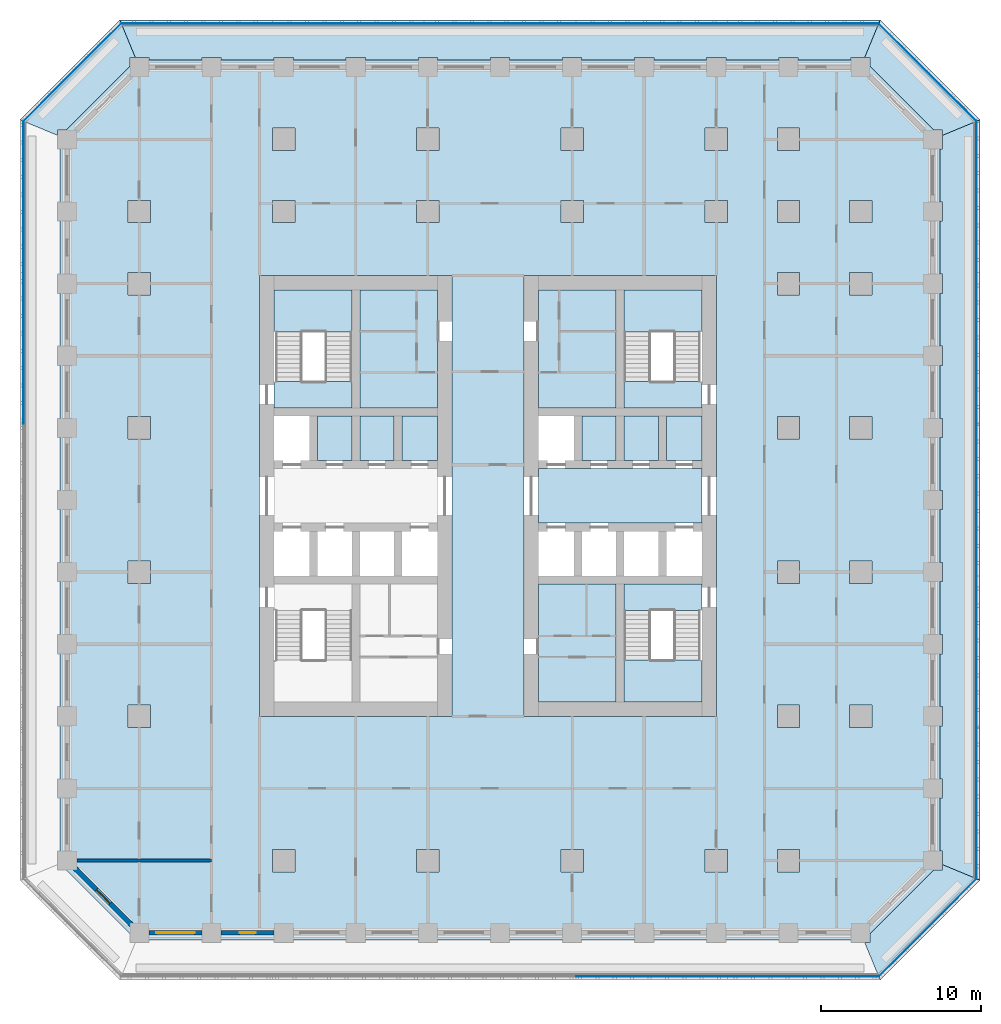
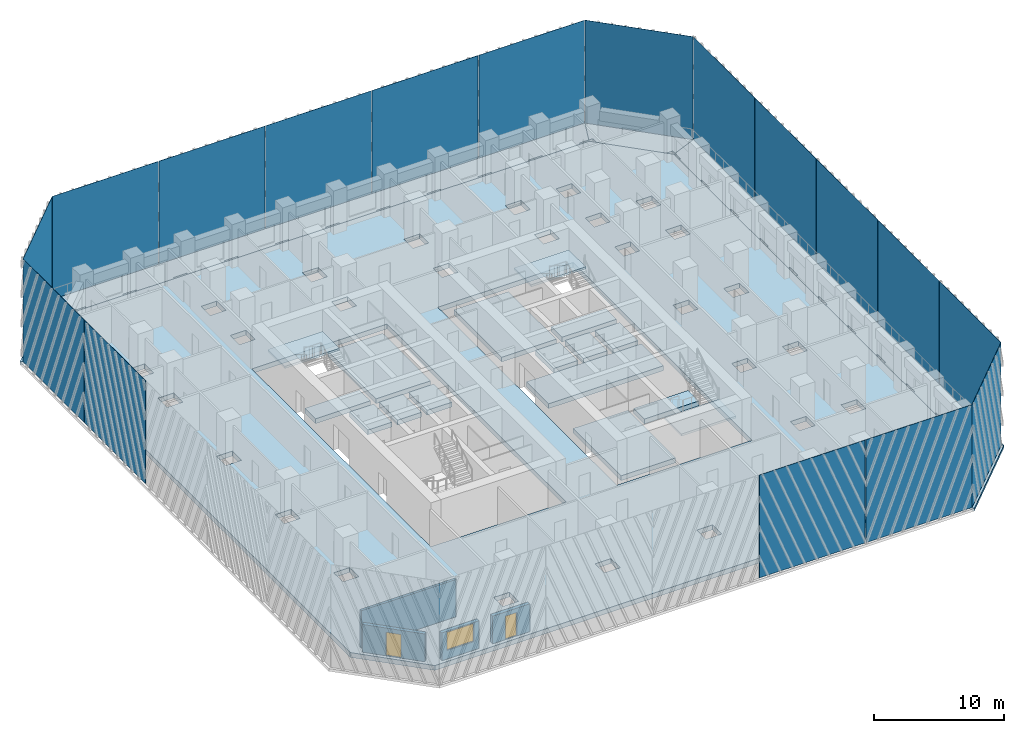
# One storey, part 2 of 20: 22 slabs, 17 plates, 4 walls, 2 doors, 1 window, 3 openings, 3 elements without a shape of their own.
"""IFC4 building model written with IfcOpenShell, lengths in metres."""

from ifc_helpers import new_model, si_unit, direction, frame, frame_2d, origin, origin_2d, place, context, subcontext, project, spatial, polyline, rectangle, outline, extrude, material, layer, layer_set, type_object, element, fill, aggregate, save


model = new_model("IFC4")

# Units and contexts
model_context = context("Model", 3, precision=1e-05, world=origin(), true_north=direction((0.0, 1.0)))
body_context = subcontext(model_context, "Body", "Model", "MODEL_VIEW")
ifc_project = project(units=[si_unit("LENGTHUNIT", "METRE"), si_unit("AREAUNIT", "SQUARE_METRE"), si_unit("VOLUMEUNIT", "CUBIC_METRE"), si_unit("PLANEANGLEUNIT", "RADIAN"), si_unit("MASSUNIT", "GRAM", prefix="KILO")], contexts=[model_context])

# Site, building, storey
site_placement = place(None, origin())
site = spatial("IfcSite", under=ifc_project, at=site_placement, CompositionType="ELEMENT")
building_placement = place(site_placement, origin())
building = spatial("IfcBuilding", under=site, at=building_placement, Name="Corbel Stack Research Tower", CompositionType="ELEMENT")
storey_placement = place(building_placement, frame((0.0, 0.0, 106.60009765625)))
storey = spatial("IfcBuildingStorey", under=building, at=storey_placement, Name="L24", CompositionType="ELEMENT", Elevation=106.60009765625)

# Plates
ifc_material_1 = material(Name="Fritted glass", Category="glass")
ifc_layer_1 = layer(ifc_material_1, 0.02490234375)
ifc_layer_set_1 = layer_set([ifc_layer_1], Name="Fritted glass")
plate_type = type_object("IfcPlateType", Name="Fritted glass panel 25", PredefinedType="SHEET", material=ifc_layer_set_1)
for number, where, z_axis, x_axis, name in (
    (1, (13.95556640625, -25.237548828125, 0.0), (0.0, 0.0, 1.0), (1.0, 0.0, 0.0), "Fritted glass L24 S4"),
    (2, (23.411376953125, -25.237548828125, 0.0), (0.0, 0.0, 1.0), (1.0, 0.0, 0.0), "Fritted glass L24 S5"),
):
    element("IfcPlate", number, at=place(storey_placement, frame(where, z_axis=z_axis, x_axis=x_axis)), inside=storey, type_object=plate_type, Name=name, PredefinedType="SHEET", context=body_context, shape_type="SweptSolid", body=[
        extrude(rectangle(XDim=9.3955078125, YDim=0.02490234375, at=origin_2d()), origin(), (0.0, 0.0, 1.0), 9.64990234375),
    ])
plate_1_placement = place(storey_placement, frame((31.185791015625, -22.185791015625, 0.0), z_axis=(0.0, 0.0, 1.0), x_axis=(0.707106781187, 0.707106781187, 0.0)))
element("IfcPlate", 3, at=plate_1_placement, inside=storey, type_object=plate_type, Name="Fritted glass L24 SE1", PredefinedType="SHEET", context=body_context, shape_type="SweptSolid", body=[
    extrude(rectangle(XDim=8.58203125, YDim=0.02490234375, at=origin_2d()), origin(), (0.0, 0.0, 1.0), 9.64990234375),
])
for number, where, z_axis, x_axis, name in (
    (4, (34.237548828125, -14.411376953125, 0.0), (0.0, 0.0, 1.0), (0.0, 1.0, 0.0), "Fritted glass L24 E1"),
    (5, (34.237548828125, -4.95556640625, 0.0), (0.0, 0.0, 1.0), (0.0, 1.0, 0.0), "Fritted glass L24 E2"),
    (6, (34.237548828125, 4.5, 0.0), (0.0, 0.0, 1.0), (0.0, 1.0, 0.0), "Fritted glass L24 E3"),
    (7, (34.237548828125, 13.95556640625, 0.0), (0.0, 0.0, 1.0), (0.0, 1.0, 0.0), "Fritted glass L24 E4"),
    (8, (34.237548828125, 23.411376953125, 0.0), (0.0, 0.0, 1.0), (0.0, 1.0, 0.0), "Fritted glass L24 E5"),
):
    element("IfcPlate", number, at=place(storey_placement, frame(where, z_axis=z_axis, x_axis=x_axis)), inside=storey, type_object=plate_type, Name=name, PredefinedType="SHEET", context=body_context, shape_type="SweptSolid", body=[
        extrude(rectangle(XDim=9.3955078125, YDim=0.02490234375, at=origin_2d()), origin(), (0.0, 0.0, 1.0), 9.64990234375),
    ])
plate_2_placement = place(storey_placement, frame((31.185791015625, 31.185791015625, 0.0), z_axis=(0.0, 0.0, 1.0), x_axis=(-0.707106781187, 0.707106781187, 0.0)))
element("IfcPlate", 9, at=plate_2_placement, inside=storey, type_object=plate_type, Name="Fritted glass L24 NE1", PredefinedType="SHEET", context=body_context, shape_type="SweptSolid", body=[
    extrude(rectangle(XDim=8.58203125, YDim=0.02490234375, at=origin_2d()), origin(), (0.0, 0.0, 1.0), 9.64990234375),
])
for number, where, z_axis, x_axis, name in (
    (10, (23.411376953125, 34.237548828125, 0.0), (0.0, 0.0, 1.0), (-1.0, 0.0, 0.0), "Fritted glass L24 N1"),
    (11, (13.95556640625, 34.237548828125, 0.0), (0.0, 0.0, 1.0), (-1.0, 0.0, 0.0), "Fritted glass L24 N2"),
    (12, (4.5, 34.237548828125, 0.0), (0.0, 0.0, 1.0), (-1.0, 0.0, 0.0), "Fritted glass L24 N3"),
    (13, (-4.95556640625, 34.237548828125, 0.0), (0.0, 0.0, 1.0), (-1.0, 0.0, 0.0), "Fritted glass L24 N4"),
    (14, (-14.411376953125, 34.237548828125, 0.0), (0.0, 0.0, 1.0), (-1.0, 0.0, 0.0), "Fritted glass L24 N5"),
):
    element("IfcPlate", number, at=place(storey_placement, frame(where, z_axis=z_axis, x_axis=x_axis)), inside=storey, type_object=plate_type, Name=name, PredefinedType="SHEET", context=body_context, shape_type="SweptSolid", body=[
        extrude(rectangle(XDim=9.3955078125, YDim=0.02490234375, at=origin_2d()), origin(), (0.0, 0.0, 1.0), 9.64990234375),
    ])
plate_3_placement = place(storey_placement, frame((-22.185791015625, 31.185791015625, 0.0), z_axis=(0.0, 0.0, 1.0), x_axis=(-0.707106781187, -0.707106781187, 0.0)))
element("IfcPlate", 15, at=plate_3_placement, inside=storey, type_object=plate_type, Name="Fritted glass L24 NW1", PredefinedType="SHEET", context=body_context, shape_type="SweptSolid", body=[
    extrude(rectangle(XDim=8.58203125, YDim=0.02490234375, at=origin_2d()), origin(), (0.0, 0.0, 1.0), 9.64990234375),
])
for number, where, z_axis, x_axis, name in (
    (16, (-25.237548828125, 23.411376953125, 0.0), (0.0, 0.0, 1.0), (0.0, -1.0, 0.0), "Fritted glass L24 W1"),
    (17, (-25.237548828125, 13.95556640625, 0.0), (0.0, 0.0, 1.0), (0.0, -1.0, 0.0), "Fritted glass L24 W2"),
):
    element("IfcPlate", number, at=place(storey_placement, frame(where, z_axis=z_axis, x_axis=x_axis)), inside=storey, type_object=plate_type, Name=name, PredefinedType="SHEET", context=body_context, shape_type="SweptSolid", body=[
        extrude(rectangle(XDim=9.3955078125, YDim=0.02490234375, at=origin_2d()), origin(), (0.0, 0.0, 1.0), 9.64990234375),
    ])

# Slabs
ifc_material_2 = material(Name="Concrete C45/55", Category="concrete")
ifc_layer_2 = layer(ifc_material_2, 0.25)
ifc_layer_set_2 = layer_set([ifc_layer_2], Name="Concrete C45/55")
slab_type_1 = type_object("IfcSlabType", Name="PT balcony slab 250 C45/55", PredefinedType="FLOOR", material=ifc_layer_set_2)
slab_1_placement = place(storey_placement, frame((0.0, 0.0, -0.25)))
element("IfcSlab", 18, at=slab_1_placement, inside=storey, type_object=slab_type_1, Name="Loggia slab L24 SE", PredefinedType="FLOOR", context=body_context, shape_type="SweptSolid", body=[
    extrude(outline(polyline([(32.10009765625, -18.24853515625), (32.10009765625, -18.60009765625), (31.536376953125, -18.60009765625), (27.60009765625, -22.536376953125), (27.60009765625, -23.10009765625), (27.24853515625, -23.10009765625), (28.221923828125, -25.449951171875), (34.449951171875, -19.221923828125), (32.10009765625, -18.24853515625)])), origin(), (0.0, 0.0, 1.0), 0.25),
])
slab_2_placement = place(storey_placement, frame((0.0, 0.0, -0.25)))
element("IfcSlab", 19, at=slab_2_placement, inside=storey, type_object=slab_type_1, Name="Loggia slab L24 E", PredefinedType="FLOOR", context=body_context, shape_type="SweptSolid", body=[
    extrude(outline(polyline([(32.10009765625, 27.24853515625), (32.10009765625, 26.39990234375), (31.949951171875, 26.39990234375), (31.949951171875, 23.10009765625), (32.10009765625, 23.10009765625), (32.10009765625, 21.89990234375), (31.949951171875, 21.89990234375), (31.949951171875, 18.60009765625), (32.10009765625, 18.60009765625), (32.10009765625, 17.39990234375), (31.949951171875, 17.39990234375), (31.949951171875, 14.10009765625), (32.10009765625, 14.10009765625), (32.10009765625, 12.89990234375), (31.949951171875, 12.89990234375), (31.949951171875, 9.60009765625), (32.10009765625, 9.60009765625), (32.10009765625, 8.39990234375), (31.949951171875, 8.39990234375), (31.949951171875, 5.10009765625), (32.10009765625, 5.10009765625), (32.10009765625, 3.89990234375), (31.949951171875, 3.89990234375), (31.949951171875, 0.60009765625), (32.10009765625, 0.60009765625), (32.10009765625, -0.60009765625), (31.949951171875, -0.60009765625), (31.949951171875, -3.89990234375), (32.10009765625, -3.89990234375), (32.10009765625, -5.10009765625), (31.949951171875, -5.10009765625), (31.949951171875, -8.39990234375), (32.10009765625, -8.39990234375), (32.10009765625, -9.60009765625), (31.949951171875, -9.60009765625), (31.949951171875, -12.89990234375), (32.10009765625, -12.89990234375), (32.10009765625, -14.10009765625), (31.949951171875, -14.10009765625), (31.949951171875, -17.39990234375), (32.10009765625, -17.39990234375), (32.10009765625, -18.24853515625), (34.449951171875, -19.221923828125), (34.449951171875, 28.221923828125), (32.10009765625, 27.24853515625)])), origin(), (0.0, 0.0, 1.0), 0.25),
])
slab_3_placement = place(storey_placement, frame((0.0, 0.0, -0.25)))
element("IfcSlab", 20, at=slab_3_placement, inside=storey, type_object=slab_type_1, Name="Loggia slab L24 NE", PredefinedType="FLOOR", context=body_context, shape_type="SweptSolid", body=[
    extrude(outline(polyline([(27.24853515625, 32.10009765625), (27.60009765625, 32.10009765625), (27.60009765625, 31.536376953125), (31.536376953125, 27.60009765625), (32.10009765625, 27.60009765625), (32.10009765625, 27.24853515625), (34.449951171875, 28.221923828125), (28.221923828125, 34.449951171875), (27.24853515625, 32.10009765625)])), origin(), (0.0, 0.0, 1.0), 0.25),
])
slab_4_placement = place(storey_placement, frame((0.0, 0.0, -0.25)))
element("IfcSlab", 21, at=slab_4_placement, inside=storey, type_object=slab_type_1, Name="Loggia slab L24 N", PredefinedType="FLOOR", context=body_context, shape_type="SweptSolid", body=[
    extrude(outline(polyline([(-18.24853515625, 32.10009765625), (-17.39990234375, 32.10009765625), (-17.39990234375, 31.949951171875), (-14.10009765625, 31.949951171875), (-14.10009765625, 32.10009765625), (-12.89990234375, 32.10009765625), (-12.89990234375, 31.949951171875), (-9.60009765625, 31.949951171875), (-9.60009765625, 32.10009765625), (-8.39990234375, 32.10009765625), (-8.39990234375, 31.949951171875), (-5.10009765625, 31.949951171875), (-5.10009765625, 32.10009765625), (-3.89990234375, 32.10009765625), (-3.89990234375, 31.949951171875), (-0.60009765625, 31.949951171875), (-0.60009765625, 32.10009765625), (0.60009765625, 32.10009765625), (0.60009765625, 31.949951171875), (3.89990234375, 31.949951171875), (3.89990234375, 32.10009765625), (5.10009765625, 32.10009765625), (5.10009765625, 31.949951171875), (8.39990234375, 31.949951171875), (8.39990234375, 32.10009765625), (9.60009765625, 32.10009765625), (9.60009765625, 31.949951171875), (12.89990234375, 31.949951171875), (12.89990234375, 32.10009765625), (14.10009765625, 32.10009765625), (14.10009765625, 31.949951171875), (17.39990234375, 31.949951171875), (17.39990234375, 32.10009765625), (18.60009765625, 32.10009765625), (18.60009765625, 31.949951171875), (21.89990234375, 31.949951171875), (21.89990234375, 32.10009765625), (23.10009765625, 32.10009765625), (23.10009765625, 31.949951171875), (26.39990234375, 31.949951171875), (26.39990234375, 32.10009765625), (27.24853515625, 32.10009765625), (28.221923828125, 34.449951171875), (-19.221923828125, 34.449951171875), (-18.24853515625, 32.10009765625)])), origin(), (0.0, 0.0, 1.0), 0.25),
])
slab_5_placement = place(storey_placement, frame((0.0, 0.0, -0.25)))
element("IfcSlab", 22, at=slab_5_placement, inside=storey, type_object=slab_type_1, Name="Loggia slab L24 NW", PredefinedType="FLOOR", context=body_context, shape_type="SweptSolid", body=[
    extrude(outline(polyline([(-23.10009765625, 27.24853515625), (-23.10009765625, 27.60009765625), (-22.536376953125, 27.60009765625), (-18.60009765625, 31.536376953125), (-18.60009765625, 32.10009765625), (-18.24853515625, 32.10009765625), (-19.221923828125, 34.449951171875), (-25.449951171875, 28.221923828125), (-23.10009765625, 27.24853515625)])), origin(), (0.0, 0.0, 1.0), 0.25),
])
ifc_material_3 = material(Name="Concrete C45/55", Category="concrete")
ifc_layer_3 = layer(ifc_material_3, 0.449951171875)
ifc_layer_set_3 = layer_set([ifc_layer_3], Name="Concrete C45/55")
slab_type_2 = type_object("IfcSlabType", Name="PT-450", PredefinedType="FLOOR", material=ifc_layer_set_3)
slab_6_placement = place(storey_placement, frame((0.0, 0.0, -0.4501953125)))
element("IfcSlab", 23, at=slab_6_placement, inside=storey, type_object=slab_type_2, Name="Floor slab L24", PredefinedType="FLOOR", context=body_context, shape_type="SweptSolid", body=[
    extrude(outline(polyline([(-18.186279296875, -22.949951171875), (27.186279296875, -22.949951171875), (31.949951171875, -18.186279296875), (31.949951171875, 27.186279296875), (27.186279296875, 31.949951171875), (-18.186279296875, 31.949951171875), (-22.949951171875, 27.186279296875), (-22.949951171875, -18.186279296875), (-18.186279296875, -22.949951171875)]), holes=[polyline([(26.300048828125, 21.800048828125), (26.300048828125, 23.199951171875), (27.699951171875, 23.199951171875), (27.699951171875, 21.800048828125), (26.300048828125, 21.800048828125)]), polyline([(26.300048828125, -9.699951171875), (26.300048828125, -8.300048828125), (27.699951171875, -8.300048828125), (27.699951171875, -9.699951171875), (26.300048828125, -9.699951171875)]), polyline([(26.300048828125, -0.699951171875), (26.300048828125, 0.699951171875), (27.699951171875, 0.699951171875), (27.699951171875, -0.699951171875), (26.300048828125, -0.699951171875)]), polyline([(26.300048828125, 8.300048828125), (26.300048828125, 9.699951171875), (27.699951171875, 9.699951171875), (27.699951171875, 8.300048828125), (26.300048828125, 8.300048828125)]), polyline([(26.300048828125, 17.300048828125), (26.300048828125, 18.699951171875), (27.699951171875, 18.699951171875), (27.699951171875, 17.300048828125), (26.300048828125, 17.300048828125)]), polyline([(21.800048828125, 26.300048828125), (21.800048828125, 27.699951171875), (23.199951171875, 27.699951171875), (23.199951171875, 26.300048828125), (21.800048828125, 26.300048828125)]), polyline([(21.800048828125, 21.800048828125), (21.800048828125, 23.199951171875), (23.199951171875, 23.199951171875), (23.199951171875, 21.800048828125), (21.800048828125, 21.800048828125)]), polyline([(21.800048828125, 17.300048828125), (21.800048828125, 18.699951171875), (23.199951171875, 18.699951171875), (23.199951171875, 17.300048828125), (21.800048828125, 17.300048828125)]), polyline([(21.800048828125, 8.300048828125), (21.800048828125, 9.699951171875), (23.199951171875, 9.699951171875), (23.199951171875, 8.300048828125), (21.800048828125, 8.300048828125)]), polyline([(21.800048828125, -0.699951171875), (21.800048828125, 0.699951171875), (23.199951171875, 0.699951171875), (23.199951171875, -0.699951171875), (21.800048828125, -0.699951171875)]), polyline([(21.800048828125, -9.699951171875), (21.800048828125, -8.300048828125), (23.199951171875, -8.300048828125), (23.199951171875, -9.699951171875), (21.800048828125, -9.699951171875)]), polyline([(21.800048828125, -18.699951171875), (21.800048828125, -17.300048828125), (23.199951171875, -17.300048828125), (23.199951171875, -18.699951171875), (21.800048828125, -18.699951171875)]), polyline([(17.300048828125, 26.300048828125), (17.300048828125, 27.699951171875), (18.699951171875, 27.699951171875), (18.699951171875, 26.300048828125), (17.300048828125, 26.300048828125)]), polyline([(17.300048828125, 21.800048828125), (17.300048828125, 23.199951171875), (18.699951171875, 23.199951171875), (18.699951171875, 21.800048828125), (17.300048828125, 21.800048828125)]), polyline([(17.300048828125, -18.699951171875), (17.300048828125, -17.300048828125), (18.699951171875, -17.300048828125), (18.699951171875, -18.699951171875), (17.300048828125, -18.699951171875)]), polyline([(6.0, -9.0), (6.0, 18.5), (18.0, 18.5), (18.0, -9.0), (6.0, -9.0)]), polyline([(8.300048828125, 26.300048828125), (8.300048828125, 27.699951171875), (9.699951171875, 27.699951171875), (9.699951171875, 26.300048828125), (8.300048828125, 26.300048828125)]), polyline([(8.300048828125, 21.800048828125), (8.300048828125, 23.199951171875), (9.699951171875, 23.199951171875), (9.699951171875, 21.800048828125), (8.300048828125, 21.800048828125)]), polyline([(8.300048828125, -18.699951171875), (8.300048828125, -17.300048828125), (9.699951171875, -17.300048828125), (9.699951171875, -18.699951171875), (8.300048828125, -18.699951171875)]), polyline([(-10.5, -9.0), (-10.5, 18.5), (1.5, 18.5), (1.5, -9.0), (-10.5, -9.0)]), polyline([(-0.699951171875, 26.300048828125), (-0.699951171875, 27.699951171875), (0.699951171875, 27.699951171875), (0.699951171875, 26.300048828125), (-0.699951171875, 26.300048828125)]), polyline([(-0.699951171875, 21.800048828125), (-0.699951171875, 23.199951171875), (0.699951171875, 23.199951171875), (0.699951171875, 21.800048828125), (-0.699951171875, 21.800048828125)]), polyline([(-0.699951171875, -18.699951171875), (-0.699951171875, -17.300048828125), (0.699951171875, -17.300048828125), (0.699951171875, -18.699951171875), (-0.699951171875, -18.699951171875)]), polyline([(-9.699951171875, 26.300048828125), (-9.699951171875, 27.699951171875), (-8.300048828125, 27.699951171875), (-8.300048828125, 26.300048828125), (-9.699951171875, 26.300048828125)]), polyline([(-9.699951171875, 21.800048828125), (-9.699951171875, 23.199951171875), (-8.300048828125, 23.199951171875), (-8.300048828125, 21.800048828125), (-9.699951171875, 21.800048828125)]), polyline([(-8.300048828125, -18.699951171875), (-9.699951171875, -18.699951171875), (-9.699951171875, -17.300048828125), (-8.300048828125, -17.300048828125), (-8.300048828125, -18.699951171875)]), polyline([(-18.699951171875, 21.800048828125), (-18.699951171875, 23.199951171875), (-17.300048828125, 23.199951171875), (-17.300048828125, 21.800048828125), (-18.699951171875, 21.800048828125)]), polyline([(-18.699951171875, 17.300048828125), (-18.699951171875, 18.699951171875), (-17.300048828125, 18.699951171875), (-17.300048828125, 17.300048828125), (-18.699951171875, 17.300048828125)]), polyline([(-18.699951171875, 8.300048828125), (-18.699951171875, 9.699951171875), (-17.300048828125, 9.699951171875), (-17.300048828125, 8.300048828125), (-18.699951171875, 8.300048828125)]), polyline([(-18.699951171875, -0.699951171875), (-18.699951171875, 0.699951171875), (-17.300048828125, 0.699951171875), (-17.300048828125, -0.699951171875), (-18.699951171875, -0.699951171875)]), polyline([(-18.699951171875, -9.699951171875), (-18.699951171875, -8.300048828125), (-17.300048828125, -8.300048828125), (-17.300048828125, -9.699951171875), (-18.699951171875, -9.699951171875)])]), origin(), (0.0, 0.0, 1.0), 0.4501953125),
])
slab_7_placement = place(storey_placement, frame((0.0, 0.0, -0.4501953125)))
element("IfcSlab", 24, at=slab_7_placement, inside=storey, type_object=slab_type_2, Name="West core floor L24", PredefinedType="FLOOR", context=body_context, shape_type="SweptSolid", body=[
    extrude(outline(polyline([(-6.875, 6.949951171875), (-4.75, 6.949951171875), (-4.75, 9.75), (-6.875, 9.75), (-6.875, 6.949951171875)])), origin(), (0.0, 0.0, 1.0), 0.4501953125),
])
slab_8_placement = place(storey_placement, frame((0.0, 0.0, -0.4501953125)))
element("IfcSlab", 25, at=slab_8_placement, inside=storey, type_object=slab_type_2, Name="West core floor L24", PredefinedType="FLOOR", context=body_context, shape_type="SweptSolid", body=[
    extrude(outline(polyline([(-2.125, 6.949951171875), (-2.125, 9.75), (-4.25, 9.75), (-4.25, 6.949951171875), (-2.125, 6.949951171875)])), origin(), (0.0, 0.0, 1.0), 0.4501953125),
])
slab_9_placement = place(storey_placement, frame((0.0, 0.0, -0.4501953125)))
element("IfcSlab", 26, at=slab_9_placement, inside=storey, type_object=slab_type_2, Name="West core floor L24", PredefinedType="FLOOR", context=body_context, shape_type="SweptSolid", body=[
    extrude(outline(polyline([(0.60009765625, 17.60009765625), (-4.25, 17.60009765625), (-4.25, 10.25), (0.60009765625, 10.25), (0.60009765625, 17.60009765625)])), origin(), (0.0, 0.0, 1.0), 0.4501953125),
])
slab_10_placement = place(storey_placement, frame((0.0, 0.0, -0.4501953125)))
element("IfcSlab", 27, at=slab_10_placement, inside=storey, type_object=slab_type_2, Name="West core floor L24", PredefinedType="FLOOR", context=body_context, shape_type="SweptSolid", body=[
    extrude(outline(polyline([(0.60009765625, 9.75), (-1.625, 9.75), (-1.625, 6.949951171875), (0.60009765625, 6.949951171875), (0.60009765625, 9.75)])), origin(), (0.0, 0.0, 1.0), 0.4501953125),
])
slab_11_placement = place(storey_placement, frame((0.0, 0.0, -0.4501953125)))
element("IfcSlab", 28, at=slab_11_placement, inside=storey, type_object=slab_type_2, Name="East core floor L24", PredefinedType="FLOOR", context=body_context, shape_type="SweptSolid", body=[
    extrude(outline(polyline([(11.75, -0.75), (6.89990234375, -0.75), (6.89990234375, -8.10009765625), (11.75, -8.10009765625), (11.75, -0.75)])), origin(), (0.0, 0.0, 1.0), 0.4501953125),
])
slab_12_placement = place(storey_placement, frame((0.0, 0.0, -0.4501953125)))
element("IfcSlab", 29, at=slab_12_placement, inside=storey, type_object=slab_type_2, Name="East core floor L24", PredefinedType="FLOOR", context=body_context, shape_type="SweptSolid", body=[
    extrude(outline(polyline([(6.89990234375, 6.449951171875), (6.89990234375, 3.050048828125), (17.10009765625, 3.050048828125), (17.10009765625, 6.449951171875), (6.89990234375, 6.449951171875)])), origin(), (0.0, 0.0, 1.0), 0.4501953125),
])
slab_13_placement = place(storey_placement, frame((0.0, 0.0, -0.4501953125)))
element("IfcSlab", 30, at=slab_13_placement, inside=storey, type_object=slab_type_2, Name="East core floor L24", PredefinedType="FLOOR", context=body_context, shape_type="SweptSolid", body=[
    extrude(outline(polyline([(6.89990234375, 17.60009765625), (6.89990234375, 10.25), (11.75, 10.25), (11.75, 17.60009765625), (6.89990234375, 17.60009765625)])), origin(), (0.0, 0.0, 1.0), 0.4501953125),
])
slab_14_placement = place(storey_placement, frame((0.0, 0.0, -0.4501953125)))
element("IfcSlab", 31, at=slab_14_placement, inside=storey, type_object=slab_type_2, Name="East core floor L24", PredefinedType="FLOOR", context=body_context, shape_type="SweptSolid", body=[
    extrude(outline(polyline([(9.625, 6.949951171875), (11.75, 6.949951171875), (11.75, 9.75), (9.625, 9.75), (9.625, 6.949951171875)])), origin(), (0.0, 0.0, 1.0), 0.4501953125),
])
slab_15_placement = place(storey_placement, frame((0.0, 0.0, -0.4501953125)))
element("IfcSlab", 32, at=slab_15_placement, inside=storey, type_object=slab_type_2, Name="East core floor L24", PredefinedType="FLOOR", context=body_context, shape_type="SweptSolid", body=[
    extrude(outline(polyline([(14.375, 6.949951171875), (14.375, 9.75), (12.25, 9.75), (12.25, 6.949951171875), (14.375, 6.949951171875)])), origin(), (0.0, 0.0, 1.0), 0.4501953125),
])
slab_16_placement = place(storey_placement, frame((0.0, 0.0, -0.4501953125)))
element("IfcSlab", 33, at=slab_16_placement, inside=storey, type_object=slab_type_2, Name="East core floor L24", PredefinedType="FLOOR", context=body_context, shape_type="SweptSolid", body=[
    extrude(outline(polyline([(17.10009765625, 6.949951171875), (17.10009765625, 9.75), (14.875, 9.75), (14.875, 6.949951171875), (17.10009765625, 6.949951171875)])), origin(), (0.0, 0.0, 1.0), 0.4501953125),
])
slab_17_placement = place(storey_placement, frame((0.0, 0.0, -0.4501953125)))
element("IfcSlab", 34, at=slab_17_placement, inside=storey, type_object=slab_type_2, Name="Stair floor landing ST-W2", PredefinedType="FLOOR", context=body_context, shape_type="SweptSolid", body=[
    extrude(outline(polyline([(-9.60009765625, 10.25), (-4.75, 10.25), (-4.75, 11.89990234375), (-9.60009765625, 11.89990234375), (-9.60009765625, 10.25)])), origin(), (0.0, 0.0, 1.0), 0.4501953125),
])
slab_18_placement = place(storey_placement, frame((0.0, 0.0, -0.4501953125)))
element("IfcSlab", 35, at=slab_18_placement, inside=storey, type_object=slab_type_2, Name="Stair floor landing ST-E1", PredefinedType="FLOOR", context=body_context, shape_type="SweptSolid", body=[
    extrude(outline(polyline([(12.25, -2.39990234375), (17.10009765625, -2.39990234375), (17.10009765625, -0.75), (12.25, -0.75), (12.25, -2.39990234375)])), origin(), (0.0, 0.0, 1.0), 0.4501953125),
])
slab_19_placement = place(storey_placement, frame((0.0, 0.0, -0.4501953125)))
element("IfcSlab", 36, at=slab_19_placement, inside=storey, type_object=slab_type_2, Name="Stair floor landing ST-E2", PredefinedType="FLOOR", context=body_context, shape_type="SweptSolid", body=[
    extrude(outline(polyline([(12.25, 10.25), (17.10009765625, 10.25), (17.10009765625, 11.89990234375), (12.25, 11.89990234375), (12.25, 10.25)])), origin(), (0.0, 0.0, 1.0), 0.4501953125),
])

# Stair, slab
ifc_material_4 = material(Name="Concrete C40/50", Category="concrete")
stair_type = type_object("IfcStairType", Name="Exit stair 24 risers", PredefinedType="HALF_TURN_STAIR", material=ifc_material_4)
stair_1_placement = place(storey_placement, origin())
stair_1 = element("IfcStair", 37, at=stair_1_placement, inside=storey, type_object=stair_type, Name="L24 Exit stair ST-W2", PredefinedType="HALF_TURN_STAIR")
ifc_material_5 = material(Name="Concrete C40/50", Category="concrete")
ifc_layer_4 = layer(ifc_material_5, 0.199951171875)
ifc_layer_set_4 = layer_set([ifc_layer_4], Name="Concrete C40/50")
slab_type_3 = type_object("IfcSlabType", Name="Stair landing 200 C40/50", PredefinedType="LANDING", material=ifc_layer_set_4)
slab_20_placement = place(storey_placement, frame((0.0, 0.0, 1.849853515625)))
slab_20 = element("IfcSlab", 38, at=slab_20_placement, type_object=slab_type_3, Name="ST-W2 landing 1", PredefinedType="LANDING", context=body_context, shape_type="SweptSolid", body=[
    extrude(outline(polyline([(-9.60009765625, 14.97998046875), (-9.60009765625, 17.60009765625), (-4.75, 17.60009765625), (-4.75, 14.97998046875), (-9.60009765625, 14.97998046875)])), origin(), (0.0, 0.0, 1.0), 0.199951171875),
])
aggregate(stair_1, [slab_20])

stair_2_placement = place(storey_placement, origin())
stair_2 = element("IfcStair", 39, at=stair_2_placement, inside=storey, type_object=stair_type, Name="L24 Exit stair ST-E1", PredefinedType="HALF_TURN_STAIR")
slab_21_placement = place(storey_placement, frame((0.0, 0.0, 1.849853515625)))
slab_21 = element("IfcSlab", 40, at=slab_21_placement, type_object=slab_type_3, Name="ST-E1 landing 1", PredefinedType="LANDING", context=body_context, shape_type="SweptSolid", body=[
    extrude(outline(polyline([(12.25, -8.10009765625), (12.25, -5.47998046875), (17.10009765625, -5.47998046875), (17.10009765625, -8.10009765625), (12.25, -8.10009765625)])), origin(), (0.0, 0.0, 1.0), 0.199951171875),
])
aggregate(stair_2, [slab_21])

stair_3_placement = place(storey_placement, origin())
stair_3 = element("IfcStair", 41, at=stair_3_placement, inside=storey, type_object=stair_type, Name="L24 Exit stair ST-E2", PredefinedType="HALF_TURN_STAIR")
slab_22_placement = place(storey_placement, frame((0.0, 0.0, 1.849853515625)))
slab_22 = element("IfcSlab", 42, at=slab_22_placement, type_object=slab_type_3, Name="ST-E2 landing 1", PredefinedType="LANDING", context=body_context, shape_type="SweptSolid", body=[
    extrude(outline(polyline([(12.25, 14.97998046875), (12.25, 17.60009765625), (17.10009765625, 17.60009765625), (17.10009765625, 14.97998046875), (12.25, 14.97998046875)])), origin(), (0.0, 0.0, 1.0), 0.199951171875),
])
aggregate(stair_3, [slab_22])

# Wall
ifc_material_6 = material(Name="Fire-rated gypsum board partition on steel studs", Category="steel")
ifc_layer_5 = layer(ifc_material_6, 0.199951171875)
ifc_layer_set_5 = layer_set([ifc_layer_5], Name="Fire-rated gypsum board partition on steel studs")
wall_type_1 = type_object("IfcWallType", Name="Fire-rated partition 200 EI 60", PredefinedType="PARTITIONING", material=ifc_layer_set_5)
wall_1_placement = place(storey_placement, frame((-21.89990234375, -18.0, 0.0), z_axis=(0.0, 0.0, 1.0), x_axis=(1.0, 0.0, 0.0)))
element("IfcWall", 43, at=wall_1_placement, inside=storey, type_object=wall_type_1, Name="Partition L24-031", PredefinedType="PARTITIONING", context=body_context, shape_type="SweptSolid", body=[
    extrude(rectangle(XDim=8.39990234375, YDim=0.199951171875, at=frame_2d((4.199951171875, 0.0))), origin(), (0.0, 0.0, 1.0), 3.5),
])

# Wall, opening, window
ifc_material_7 = material(Name="Concrete C45/55", Category="concrete")
ifc_layer_6 = layer(ifc_material_7, 0.300048828125)
ifc_layer_set_6 = layer_set([ifc_layer_6], Name="Concrete C45/55")
wall_type_2 = type_object("IfcWallType", Name="Terracotta-faced concrete wall 300", PredefinedType="SOLIDWALL", material=ifc_layer_set_6)
wall_2_placement = place(storey_placement, frame((-14.10009765625, -22.5, 0.0), z_axis=(0.0, 0.0, 1.0), x_axis=(-1.0, 0.0, 0.0)))
wall_2 = element("IfcWall", 44, at=wall_2_placement, inside=storey, type_object=wall_type_2, Name="Facade wall L24 S01", PredefinedType="SOLIDWALL", context=body_context, shape_type="SweptSolid", body=[
    extrude(rectangle(XDim=3.2998046875, YDim=0.300048828125, at=frame_2d((1.64990234375, 0.0))), origin(), (0.0, 0.0, 1.0), 2.599853515625),
])
opening_1_placement = place(wall_2_placement, frame((0.449951171875, 0.0, 0.800048828125)))
opening_1 = element("IfcOpeningElement", 45, at=opening_1_placement, cuts=wall_2, Name="Opening W1", PredefinedType="OPENING", context=body_context, shape_type="SweptSolid", body=[
    extrude(rectangle(XDim=2.39990234375, YDim=1.699951171875, at=frame_2d((1.199951171875, 0.85009765625))), frame((0.0, 0.159912109375, 0.0), z_axis=(0.0, -1.0, 0.0), x_axis=(1.0, 0.0, 0.0)), (0.0, 0.0, 1.0), 0.320068359375),
])
ifc_material_8 = material(Name="Aluminium frame, clear double glazing", Category="aluminium")
window_type = type_object("IfcWindowType", Name="Window W1 2400 x 1700", PartitioningType="SINGLE_PANEL", PredefinedType="WINDOW", material=ifc_material_8)
window_placement = place(opening_1_placement, origin())
window = element("IfcWindow", 46, at=window_placement, inside=storey, type_object=window_type, Name="Window W1 L24 S01", OverallHeight=1.699951171875, OverallWidth=2.39990234375, PartitioningType="SINGLE_PANEL", PredefinedType="WINDOW", context=body_context, shape_type="SweptSolid", body=[
    extrude(rectangle(XDim=2.39990234375, YDim=1.699951171875, at=frame_2d((1.199951171875, 0.85009765625))), frame((0.0, 0.030029296875, 0.0), z_axis=(0.0, -1.0, 0.0), x_axis=(1.0, 0.0, 0.0)), (0.0, 0.0, 1.0), 0.06005859375),
])
fill(opening_1, window)

# Wall, opening, door
wall_3_placement = place(storey_placement, frame((-9.60009765625, -22.5, 0.0), z_axis=(0.0, 0.0, 1.0), x_axis=(-1.0, 0.0, 0.0)))
wall_3 = element("IfcWall", 47, at=wall_3_placement, inside=storey, type_object=wall_type_2, Name="Facade wall L24 S02", PredefinedType="SOLIDWALL", context=body_context, shape_type="SweptSolid", body=[
    extrude(rectangle(XDim=3.2998046875, YDim=0.300048828125, at=frame_2d((1.64990234375, 0.0))), origin(), (0.0, 0.0, 1.0), 2.599853515625),
])
opening_2_placement = place(wall_3_placement, frame((1.14990234375, 0.0, 0.0)))
opening_2 = element("IfcOpeningElement", 48, at=opening_2_placement, cuts=wall_3, Name="Opening L24-B01", PredefinedType="OPENING", context=body_context, shape_type="SweptSolid", body=[
    extrude(rectangle(XDim=1.0, YDim=2.199951171875, at=frame_2d((0.5, 1.10009765625))), frame((0.0, 0.159912109375, 0.0), z_axis=(0.0, -1.0, 0.0), x_axis=(1.0, 0.0, 0.0)), (0.0, 0.0, 1.0), 0.320068359375),
])
ifc_material_9 = material(Name="Aluminium frame, clear double glazing", Category="aluminium")
door_type_1 = type_object("IfcDoorType", Name="Balcony door BD1 1000 x 2200", OperationType="NOTDEFINED", PredefinedType="DOOR", material=ifc_material_9)
door_1_placement = place(opening_2_placement, origin())
door_1 = element("IfcDoor", 49, at=door_1_placement, inside=storey, type_object=door_type_1, Name="Balcony door L24-B01", OperationType="SINGLE_SWING_RIGHT", OverallHeight=2.199951171875, OverallWidth=1.0, PredefinedType="DOOR", context=body_context, shape_type="SweptSolid", body=[
    extrude(rectangle(XDim=1.0, YDim=2.199951171875, at=frame_2d((0.5, 1.10009765625))), frame((0.0, 0.02490234375, 0.0), z_axis=(0.0, -1.0, 0.0), x_axis=(1.0, 0.0, 0.0)), (0.0, 0.0, 1.0), 0.050048828125),
])
fill(opening_2, door_1)

wall_4_placement = place(storey_placement, frame((-18.493896484375, -22.006103515625, 0.0), z_axis=(0.0, 0.0, 1.0), x_axis=(-0.707106781187, 0.707106781187, 0.0)))
wall_4 = element("IfcWall", 50, at=wall_4_placement, inside=storey, type_object=wall_type_2, Name="Facade wall L24 SW01", PredefinedType="SOLIDWALL", context=body_context, shape_type="SweptSolid", body=[
    extrude(rectangle(XDim=4.967041015625, YDim=0.300048828125, at=frame_2d((2.4833984375, 0.0))), origin(), (0.0, 0.0, 1.0), 2.599853515625),
])
opening_3_placement = place(wall_4_placement, frame((1.883544921875, 0.0, 0.0)))
opening_3 = element("IfcOpeningElement", 51, at=opening_3_placement, cuts=wall_4, Name="Opening L24-B12", PredefinedType="OPENING", context=body_context, shape_type="SweptSolid", body=[
    extrude(rectangle(XDim=1.199951171875, YDim=2.199951171875, at=frame_2d((0.60009765625, 1.10009765625))), frame((0.0, 0.159912109375, 0.0), z_axis=(0.0, -1.0, 0.0), x_axis=(1.0, 0.0, 0.0)), (0.0, 0.0, 1.0), 0.320068359375),
])
ifc_material_10 = material(Name="Aluminium frame, clear double glazing", Category="aluminium")
door_type_2 = type_object("IfcDoorType", Name="Balcony door BD2 1200 x 2200", OperationType="NOTDEFINED", PredefinedType="DOOR", material=ifc_material_10)
door_2_placement = place(opening_3_placement, origin())
door_2 = element("IfcDoor", 52, at=door_2_placement, inside=storey, type_object=door_type_2, Name="Balcony door L24-B12", OperationType="SINGLE_SWING_LEFT", OverallHeight=2.199951171875, OverallWidth=1.199951171875, PredefinedType="DOOR", context=body_context, shape_type="SweptSolid", body=[
    extrude(rectangle(XDim=1.199951171875, YDim=2.199951171875, at=frame_2d((0.60009765625, 1.10009765625))), frame((0.0, 0.02490234375, 0.0), z_axis=(0.0, -1.0, 0.0), x_axis=(1.0, 0.0, 0.0)), (0.0, 0.0, 1.0), 0.050048828125),
])
fill(opening_3, door_2)

save(model, "model.ifc")
